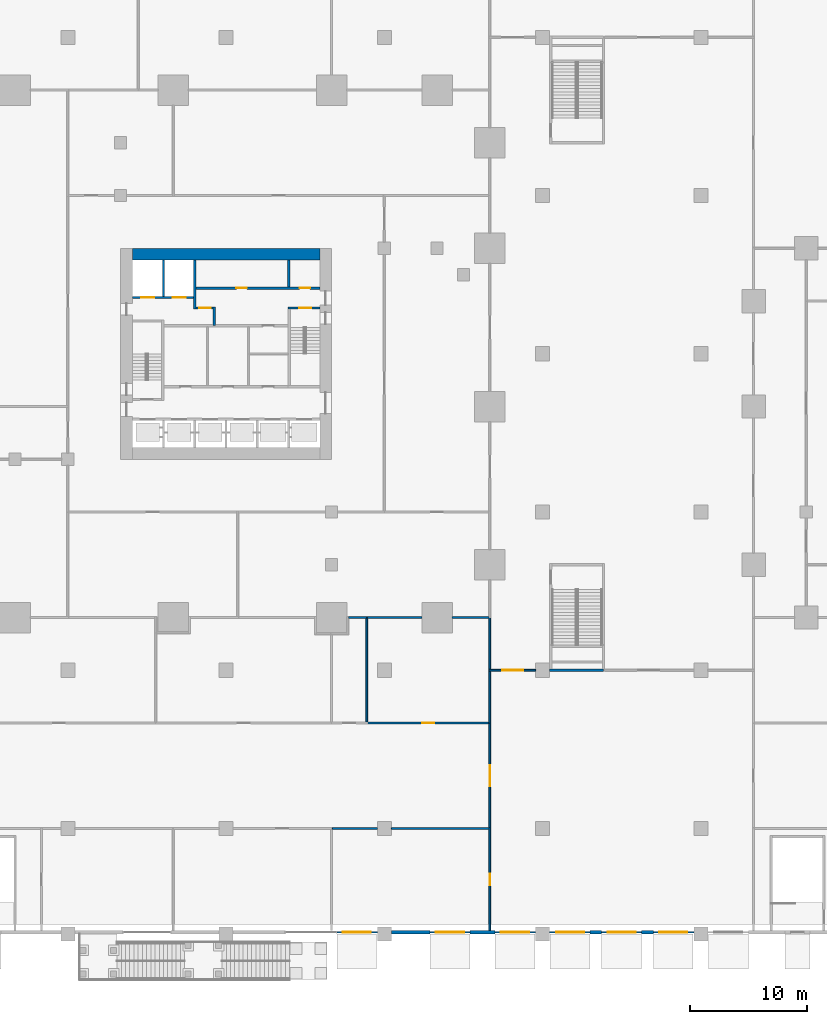
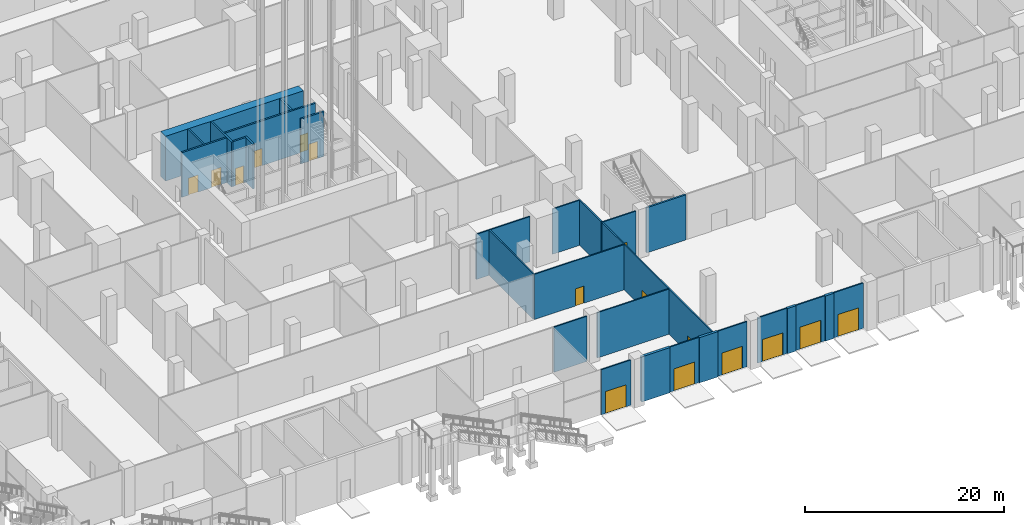
# One storey, part 26 of 68: 32 walls, 16 doors, 16 openings.
"""IFC4 building model written with IfcOpenShell, lengths in metres."""

from ifc_helpers import new_model, si_unit, direction, frame, frame_2d, origin, place, context, subcontext, project, spatial, rectangle, extrude, material, layer, layer_set, type_object, element, fill, save


model = new_model("IFC4")

# Units and contexts
model_context = context("Model", 3, precision=1e-05, world=origin(), true_north=direction((0.0, 1.0)))
body_context = subcontext(model_context, "Body", "Model", "MODEL_VIEW")
ifc_project = project(units=[si_unit("LENGTHUNIT", "METRE"), si_unit("AREAUNIT", "SQUARE_METRE"), si_unit("VOLUMEUNIT", "CUBIC_METRE"), si_unit("PLANEANGLEUNIT", "RADIAN"), si_unit("MASSUNIT", "GRAM", prefix="KILO")], contexts=[model_context])

# Site, building, storey
site_placement = place(None, origin())
site = spatial("IfcSite", under=ifc_project, at=site_placement, CompositionType="ELEMENT")
building_placement = place(site_placement, origin())
building = spatial("IfcBuilding", under=site, at=building_placement, Name="Altepetl Exchange Towers", CompositionType="ELEMENT")
storey_placement = place(building_placement, origin())
storey = spatial("IfcBuildingStorey", under=building, at=storey_placement, Name="L00 Ground concourse", CompositionType="ELEMENT", Elevation=0.0)

# Wall
ifc_material_1 = material(Name="Concrete C70/85", Category="concrete")
ifc_layer_1 = layer(ifc_material_1, 1.0)
ifc_layer_set_1 = layer_set([ifc_layer_1], Name="Concrete C70/85")
wall_type_1 = type_object("IfcWallType", Name="Core wall 1000 reinforced concrete", PredefinedType="SHEAR", material=ifc_layer_set_1)
wall_1_placement = place(storey_placement, frame((41.5, 58.0, 0.0)))
element("IfcWall", 1, at=wall_1_placement, inside=storey, type_object=wall_type_1, Name="wall:A:L00:K-coreN", PredefinedType="SHEAR", context=body_context, shape_type="SweptSolid", body=[
    extrude(rectangle(XDim=16.0, YDim=1.0, at=frame_2d((8.0, 0.0))), origin(), (0.0, 0.0, 1.0), 5.5),
])

# Wall, opening, door
ifc_material_2 = material(Name="Aluminium composite cladding", Category="aluminium")
ifc_layer_2 = layer(ifc_material_2, 0.14990234375)
ifc_layer_set_2 = layer_set([ifc_layer_2], Name="Aluminium composite cladding")
wall_type_2 = type_object("IfcWallType", Name="Infill wall 150 aluminium panel", PredefinedType="SOLIDWALL", material=ifc_layer_set_2)
wall_2_placement = place(storey_placement, frame((58.949951171875, 0.14990234375, 0.0)))
wall_2 = element("IfcWall", 2, at=wall_2_placement, inside=storey, type_object=wall_type_2, Name="Door bay wall", PredefinedType="SOLIDWALL", context=body_context, shape_type="SweptSolid", body=[
    extrude(rectangle(XDim=3.449951171875, YDim=0.14990234375, at=frame_2d((1.72509765625, 0.0))), origin(), (0.0, 0.0, 1.0), 5.550048828125),
])
opening_1_placement = place(wall_2_placement, frame((0.5, 0.0, 0.0)))
opening_1 = element("IfcOpeningElement", 3, at=opening_1_placement, cuts=wall_2, Name="Opening L00.E19", PredefinedType="OPENING", context=body_context, shape_type="SweptSolid", body=[
    extrude(rectangle(XDim=2.39990234375, YDim=2.699951171875, at=frame_2d((1.199951171875, 1.35009765625))), frame((0.0, 0.0849609375, 0.0), z_axis=(0.0, -1.0, 0.0), x_axis=(1.0, 0.0, 0.0)), (0.0, 0.0, 1.0), 0.169921875),
])
ifc_material_3 = material(Name="Aluminium 6063-T6 and glass", Category="aluminium")
door_type_1 = type_object("IfcDoorType", Name="Entrance door pair 2400x2700 pedestrian", OperationType="DOUBLE_DOOR_DOUBLE_SWING", PredefinedType="NOTDEFINED", material=ifc_material_3)
door_1_placement = place(opening_1_placement, frame((2.39990234375, 0.0, 0.0), x_axis=(-1.0, 0.0, 0.0)))
door_1 = element("IfcDoor", 4, at=door_1_placement, inside=storey, type_object=door_type_1, Name="Entrance door", OperationType="DOUBLE_DOOR_DOUBLE_SWING", OverallHeight=2.699951171875, OverallWidth=2.39990234375, PredefinedType="NOTDEFINED", context=body_context, shape_type="SweptSolid", body=[
    extrude(rectangle(XDim=2.39990234375, YDim=2.699951171875, at=frame_2d((1.199951171875, 1.35009765625))), frame((0.0, 0.02490234375, 0.0), z_axis=(0.0, -1.0, 0.0), x_axis=(1.0, 0.0, 0.0)), (0.0, 0.0, 1.0), 0.050048828125),
])
fill(opening_1, door_1)

wall_3_placement = place(storey_placement, frame((66.89990234375, 0.14990234375, 0.0)))
wall_3 = element("IfcWall", 5, at=wall_3_placement, inside=storey, type_object=wall_type_2, Name="Door bay wall", PredefinedType="SOLIDWALL", context=body_context, shape_type="SweptSolid", body=[
    extrude(rectangle(XDim=3.400146484375, YDim=0.14990234375, at=frame_2d((1.7001953125, 0.0))), origin(), (0.0, 0.0, 1.0), 5.550048828125),
])
opening_2_placement = place(wall_3_placement, frame((0.5, 0.0, 0.0)))
opening_2 = element("IfcOpeningElement", 6, at=opening_2_placement, cuts=wall_3, Name="Opening L00.E20", PredefinedType="OPENING", context=body_context, shape_type="SweptSolid", body=[
    extrude(rectangle(XDim=2.39990234375, YDim=2.699951171875, at=frame_2d((1.199951171875, 1.35009765625))), frame((0.0, 0.0849609375, 0.0), z_axis=(0.0, -1.0, 0.0), x_axis=(1.0, 0.0, 0.0)), (0.0, 0.0, 1.0), 0.169921875),
])
door_2_placement = place(opening_2_placement, frame((2.39990234375, 0.0, 0.0), x_axis=(-1.0, 0.0, 0.0)))
door_2 = element("IfcDoor", 7, at=door_2_placement, inside=storey, type_object=door_type_1, Name="Entrance door", OperationType="DOUBLE_DOOR_DOUBLE_SWING", OverallHeight=2.699951171875, OverallWidth=2.39990234375, PredefinedType="NOTDEFINED", context=body_context, shape_type="SweptSolid", body=[
    extrude(rectangle(XDim=2.39990234375, YDim=2.699951171875, at=frame_2d((1.199951171875, 1.35009765625))), frame((0.0, 0.02490234375, 0.0), z_axis=(0.0, -1.0, 0.0), x_axis=(1.0, 0.0, 0.0)), (0.0, 0.0, 1.0), 0.050048828125),
])
fill(opening_2, door_2)

wall_4_placement = place(storey_placement, frame((72.449951171875, 0.14990234375, 0.0)))
wall_4 = element("IfcWall", 8, at=wall_4_placement, inside=storey, type_object=wall_type_2, Name="Door bay wall", PredefinedType="SOLIDWALL", context=body_context, shape_type="SweptSolid", body=[
    extrude(rectangle(XDim=3.449951171875, YDim=0.14990234375, at=frame_2d((1.72509765625, 0.0))), origin(), (0.0, 0.0, 1.0), 5.550048828125),
])
opening_3_placement = place(wall_4_placement, frame((0.5, 0.0, 0.0)))
opening_3 = element("IfcOpeningElement", 9, at=opening_3_placement, cuts=wall_4, Name="Opening L00.E01", PredefinedType="OPENING", context=body_context, shape_type="SweptSolid", body=[
    extrude(rectangle(XDim=2.39990234375, YDim=2.699951171875, at=frame_2d((1.199951171875, 1.35009765625))), frame((0.0, 0.0849609375, 0.0), z_axis=(0.0, -1.0, 0.0), x_axis=(1.0, 0.0, 0.0)), (0.0, 0.0, 1.0), 0.169921875),
])
door_3_placement = place(opening_3_placement, frame((2.39990234375, 0.0, 0.0), x_axis=(-1.0, 0.0, 0.0)))
door_3 = element("IfcDoor", 10, at=door_3_placement, inside=storey, type_object=door_type_1, Name="Entrance door", OperationType="DOUBLE_DOOR_DOUBLE_SWING", OverallHeight=2.699951171875, OverallWidth=2.39990234375, PredefinedType="NOTDEFINED", context=body_context, shape_type="SweptSolid", body=[
    extrude(rectangle(XDim=2.39990234375, YDim=2.699951171875, at=frame_2d((1.199951171875, 1.35009765625))), frame((0.0, 0.02490234375, 0.0), z_axis=(0.0, -1.0, 0.0), x_axis=(1.0, 0.0, 0.0)), (0.0, 0.0, 1.0), 0.050048828125),
])
fill(opening_3, door_3)

wall_5_placement = place(storey_placement, frame((77.10009765625, 0.14990234375, 0.0)))
wall_5 = element("IfcWall", 11, at=wall_5_placement, inside=storey, type_object=wall_type_2, Name="Door bay wall", PredefinedType="SOLIDWALL", context=body_context, shape_type="SweptSolid", body=[
    extrude(rectangle(XDim=3.449951171875, YDim=0.14990234375, at=frame_2d((1.72509765625, 0.0))), origin(), (0.0, 0.0, 1.0), 5.550048828125),
])
opening_4_placement = place(wall_5_placement, frame((0.550048828125, 0.0, 0.0)))
opening_4 = element("IfcOpeningElement", 12, at=opening_4_placement, cuts=wall_5, Name="Opening L00.E02", PredefinedType="OPENING", context=body_context, shape_type="SweptSolid", body=[
    extrude(rectangle(XDim=2.39990234375, YDim=2.699951171875, at=frame_2d((1.199951171875, 1.35009765625))), frame((0.0, 0.0849609375, 0.0), z_axis=(0.0, -1.0, 0.0), x_axis=(1.0, 0.0, 0.0)), (0.0, 0.0, 1.0), 0.169921875),
])
door_4_placement = place(opening_4_placement, frame((2.39990234375, 0.0, 0.0), x_axis=(-1.0, 0.0, 0.0)))
door_4 = element("IfcDoor", 13, at=door_4_placement, inside=storey, type_object=door_type_1, Name="Entrance door", OperationType="DOUBLE_DOOR_DOUBLE_SWING", OverallHeight=2.699951171875, OverallWidth=2.39990234375, PredefinedType="NOTDEFINED", context=body_context, shape_type="SweptSolid", body=[
    extrude(rectangle(XDim=2.39990234375, YDim=2.699951171875, at=frame_2d((1.199951171875, 1.35009765625))), frame((0.0, 0.02490234375, 0.0), z_axis=(0.0, -1.0, 0.0), x_axis=(1.0, 0.0, 0.0)), (0.0, 0.0, 1.0), 0.050048828125),
])
fill(opening_4, door_4)

wall_6_placement = place(storey_placement, frame((81.550048828125, 0.14990234375, 0.0)))
wall_6 = element("IfcWall", 14, at=wall_6_placement, inside=storey, type_object=wall_type_2, Name="Door bay wall", PredefinedType="SOLIDWALL", context=body_context, shape_type="SweptSolid", body=[
    extrude(rectangle(XDim=3.39990234375, YDim=0.14990234375, at=frame_2d((1.699951171875, 0.0))), origin(), (0.0, 0.0, 1.0), 5.550048828125),
])
opening_5_placement = place(wall_6_placement, frame((0.5, 0.0, 0.0)))
opening_5 = element("IfcOpeningElement", 15, at=opening_5_placement, cuts=wall_6, Name="Opening L00.E03", PredefinedType="OPENING", context=body_context, shape_type="SweptSolid", body=[
    extrude(rectangle(XDim=2.39990234375, YDim=2.699951171875, at=frame_2d((1.199951171875, 1.35009765625))), frame((0.0, 0.0849609375, 0.0), z_axis=(0.0, -1.0, 0.0), x_axis=(1.0, 0.0, 0.0)), (0.0, 0.0, 1.0), 0.169921875),
])
door_5_placement = place(opening_5_placement, frame((2.39990234375, 0.0, 0.0), x_axis=(-1.0, 0.0, 0.0)))
door_5 = element("IfcDoor", 16, at=door_5_placement, inside=storey, type_object=door_type_1, Name="Entrance door", OperationType="DOUBLE_DOOR_DOUBLE_SWING", OverallHeight=2.699951171875, OverallWidth=2.39990234375, PredefinedType="NOTDEFINED", context=body_context, shape_type="SweptSolid", body=[
    extrude(rectangle(XDim=2.39990234375, YDim=2.699951171875, at=frame_2d((1.199951171875, 1.35009765625))), frame((0.0, 0.02490234375, 0.0), z_axis=(0.0, -1.0, 0.0), x_axis=(1.0, 0.0, 0.0)), (0.0, 0.0, 1.0), 0.050048828125),
])
fill(opening_5, door_5)

wall_7_placement = place(storey_placement, frame((85.949951171875, 0.14990234375, 0.0)))
wall_7 = element("IfcWall", 17, at=wall_7_placement, inside=storey, type_object=wall_type_2, Name="Door bay wall", PredefinedType="SOLIDWALL", context=body_context, shape_type="SweptSolid", body=[
    extrude(rectangle(XDim=3.449951171875, YDim=0.14990234375, at=frame_2d((1.72509765625, 0.0))), origin(), (0.0, 0.0, 1.0), 5.550048828125),
])
opening_6_placement = place(wall_7_placement, frame((0.5, 0.0, 0.0)))
opening_6 = element("IfcOpeningElement", 18, at=opening_6_placement, cuts=wall_7, Name="Opening L00.E04", PredefinedType="OPENING", context=body_context, shape_type="SweptSolid", body=[
    extrude(rectangle(XDim=2.39990234375, YDim=2.699951171875, at=frame_2d((1.199951171875, 1.35009765625))), frame((0.0, 0.0849609375, 0.0), z_axis=(0.0, -1.0, 0.0), x_axis=(1.0, 0.0, 0.0)), (0.0, 0.0, 1.0), 0.169921875),
])
door_6_placement = place(opening_6_placement, frame((2.39990234375, 0.0, 0.0), x_axis=(-1.0, 0.0, 0.0)))
door_6 = element("IfcDoor", 19, at=door_6_placement, inside=storey, type_object=door_type_1, Name="Entrance door", OperationType="DOUBLE_DOOR_DOUBLE_SWING", OverallHeight=2.699951171875, OverallWidth=2.39990234375, PredefinedType="NOTDEFINED", context=body_context, shape_type="SweptSolid", body=[
    extrude(rectangle(XDim=2.39990234375, YDim=2.699951171875, at=frame_2d((1.199951171875, 1.35009765625))), frame((0.0, 0.02490234375, 0.0), z_axis=(0.0, -1.0, 0.0), x_axis=(1.0, 0.0, 0.0)), (0.0, 0.0, 1.0), 0.050048828125),
])
fill(opening_6, door_6)

# Wall
ifc_material_4 = material(Name="Concrete blockwork", Category="masonry")
ifc_layer_3 = layer(ifc_material_4, 0.199951171875)
ifc_layer_set_3 = layer_set([ifc_layer_3], Name="Concrete blockwork")
wall_type_3 = type_object("IfcWallType", Name="Lobby wall 200 blockwork", PredefinedType="PARTITIONING", material=ifc_layer_set_3)
wall_8_placement = place(storey_placement, frame((48.5, 51.89990234375, 0.0), z_axis=(0.0, 0.0, 1.0), x_axis=(0.0, 1.0, 0.0)))
element("IfcWall", 20, at=wall_8_placement, inside=storey, type_object=wall_type_3, Name="wall:A:L00:K-ffE", PredefinedType="PARTITIONING", context=body_context, shape_type="SweptSolid", body=[
    extrude(rectangle(XDim=1.60009765625, YDim=0.199951171875, at=frame_2d((0.800048828125, 0.0))), origin(), (0.0, 0.0, 1.0), 5.5),
])

# Wall, opening, door
wall_9_placement = place(storey_placement, frame((46.933349609375, 53.39990234375, 0.0)))
wall_9 = element("IfcWall", 21, at=wall_9_placement, inside=storey, type_object=wall_type_3, Name="wall:A:L00:K-ffN", PredefinedType="PARTITIONING", context=body_context, shape_type="SweptSolid", body=[
    extrude(rectangle(XDim=1.466552734375, YDim=0.199951171875, at=frame_2d((0.7333984375, 0.0))), origin(), (0.0, 0.0, 1.0), 5.5),
])
opening_7_placement = place(wall_9_placement, frame((0.2666015625, 0.0, 0.0)))
opening_7 = element("IfcOpeningElement", 22, at=opening_7_placement, cuts=wall_9, Name="Opening L00.A67", PredefinedType="OPENING", context=body_context, shape_type="SweptSolid", body=[
    extrude(rectangle(XDim=1.0, YDim=2.10009765625, at=frame_2d((0.5, 1.050048828125))), frame((0.0, 0.10986328125, 0.0), z_axis=(0.0, -1.0, 0.0), x_axis=(1.0, 0.0, 0.0)), (0.0, 0.0, 1.0), 0.219970703125),
])
ifc_material_5 = material(Name="Steel and timber fire door", Category="steel")
door_type_2 = type_object("IfcDoorType", Name="Fire door 1000 x 2100 stair and lobby", OperationType="SINGLE_SWING_LEFT", PredefinedType="DOOR", material=ifc_material_5)
door_7_placement = place(opening_7_placement, frame((1.0, 0.0, 0.0), x_axis=(-1.0, 0.0, 0.0)))
door_7 = element("IfcDoor", 23, at=door_7_placement, inside=storey, type_object=door_type_2, Name="door:A:L00:K-dffN", OperationType="SINGLE_SWING_RIGHT", OverallHeight=2.10009765625, OverallWidth=1.0, PredefinedType="DOOR", context=body_context, shape_type="SweptSolid", body=[
    extrude(rectangle(XDim=1.0, YDim=2.10009765625, at=frame_2d((0.5, 1.050048828125))), frame((0.0, 0.02490234375, 0.0), z_axis=(0.0, -1.0, 0.0), x_axis=(1.0, 0.0, 0.0)), (0.0, 0.0, 1.0), 0.050048828125),
])
fill(opening_7, door_7)

ifc_material_6 = material(Name="Gypsum board on steel studs", Category="steel")
ifc_layer_4 = layer(ifc_material_6, 0.14990234375)
ifc_layer_set_4 = layer_set([ifc_layer_4], Name="Gypsum board on steel studs")
wall_type_4 = type_object("IfcWallType", Name="Podium partition 150", PredefinedType="PARTITIONING", material=ifc_layer_set_4)
wall_10_placement = place(storey_placement, frame((71.925048828125, 22.5, 0.0)))
wall_10 = element("IfcWall", 24, at=wall_10_placement, inside=storey, type_object=wall_type_4, Name="wall:P:L00:P001", PredefinedType="PARTITIONING", context=body_context, shape_type="SweptSolid", body=[
    extrude(rectangle(XDim=3.97998046875, YDim=0.14990234375, at=frame_2d((1.989990234375, 0.0))), origin(), (0.0, 0.0, 1.0), 5.550048828125),
])
opening_8_placement = place(wall_10_placement, frame((1.125, 0.0, 0.0)))
opening_8 = element("IfcOpeningElement", 25, at=opening_8_placement, cuts=wall_10, Name="Opening L00.P066", PredefinedType="OPENING", context=body_context, shape_type="SweptSolid", body=[
    extrude(rectangle(XDim=1.800048828125, YDim=2.10009765625, at=frame_2d((0.89990234375, 1.050048828125))), frame((0.0, 0.0849609375, 0.0), z_axis=(0.0, -1.0, 0.0), x_axis=(1.0, 0.0, 0.0)), (0.0, 0.0, 1.0), 0.169921875),
])
ifc_material_7 = material(Name="Glazed aluminium and steel", Category="steel")
door_type_3 = type_object("IfcDoorType", Name="Podium fire door 1800 x 2100 double leaf", OperationType="DOUBLE_DOOR_SINGLE_SWING", PredefinedType="DOOR", material=ifc_material_7)
door_8_placement = place(opening_8_placement, frame((1.800048828125, 0.0, 0.0), x_axis=(-1.0, 0.0, 0.0)))
door_8 = element("IfcDoor", 26, at=door_8_placement, inside=storey, type_object=door_type_3, Name="door:P:L00:066", OperationType="DOUBLE_DOOR_SINGLE_SWING", OverallHeight=2.10009765625, OverallWidth=1.800048828125, PredefinedType="DOOR", context=body_context, shape_type="SweptSolid", body=[
    extrude(rectangle(XDim=1.800048828125, YDim=2.10009765625, at=frame_2d((0.89990234375, 1.050048828125))), frame((0.0, 0.02490234375, 0.0), z_axis=(0.0, -1.0, 0.0), x_axis=(1.0, 0.0, 0.0)), (0.0, 0.0, 1.0), 0.050048828125),
])
fill(opening_8, door_8)

wall_11_placement = place(storey_placement, frame((72.0, 0.300048828125, 0.0), z_axis=(0.0, 0.0, 1.0), x_axis=(0.0, 1.0, 0.0)))
wall_11 = element("IfcWall", 27, at=wall_11_placement, inside=storey, type_object=wall_type_4, Name="wall:P:L00:P004", PredefinedType="PARTITIONING", context=body_context, shape_type="SweptSolid", body=[
    extrude(rectangle(XDim=8.77490234375, YDim=0.14990234375, at=frame_2d((4.387451171875, 0.0))), origin(), (0.0, 0.0, 1.0), 5.550048828125),
])
opening_9_placement = place(wall_11_placement, frame((3.85009765625, 0.0, 0.0)))
opening_9 = element("IfcOpeningElement", 28, at=opening_9_placement, cuts=wall_11, Name="Opening L00.P005", PredefinedType="OPENING", context=body_context, shape_type="SweptSolid", body=[
    extrude(rectangle(XDim=1.0, YDim=2.10009765625, at=frame_2d((0.5, 1.050048828125))), frame((0.0, 0.0849609375, 0.0), z_axis=(0.0, -1.0, 0.0), x_axis=(1.0, 0.0, 0.0)), (0.0, 0.0, 1.0), 0.169921875),
])
door_type_4 = type_object("IfcDoorType", Name="Podium fire door 1000 x 2100 single leaf", OperationType="SINGLE_SWING_LEFT", PredefinedType="DOOR", material=ifc_material_5)
door_9_placement = place(opening_9_placement, origin())
door_9 = element("IfcDoor", 29, at=door_9_placement, inside=storey, type_object=door_type_4, Name="door:P:L00:005", OperationType="SINGLE_SWING_RIGHT", OverallHeight=2.10009765625, OverallWidth=1.0, PredefinedType="DOOR", context=body_context, shape_type="SweptSolid", body=[
    extrude(rectangle(XDim=1.0, YDim=2.10009765625, at=frame_2d((0.5, 1.050048828125))), frame((0.0, 0.02490234375, 0.0), z_axis=(0.0, -1.0, 0.0), x_axis=(1.0, 0.0, 0.0)), (0.0, 0.0, 1.0), 0.050048828125),
])
fill(opening_9, door_9)

wall_12_placement = place(storey_placement, frame((72.0, 9.0, 0.0), z_axis=(0.0, 0.0, 1.0), x_axis=(0.0, 1.0, 0.0)))
wall_12 = element("IfcWall", 30, at=wall_12_placement, inside=storey, type_object=wall_type_4, Name="wall:P:L00:P005", PredefinedType="PARTITIONING", context=body_context, shape_type="SweptSolid", body=[
    extrude(rectangle(XDim=9.074951171875, YDim=0.14990234375, at=frame_2d((4.53759765625, 0.0))), origin(), (0.0, 0.0, 1.0), 5.550048828125),
])
opening_10_placement = place(wall_12_placement, frame((3.60009765625, 0.0, 0.0)))
opening_10 = element("IfcOpeningElement", 31, at=opening_10_placement, cuts=wall_12, Name="Opening L00.P067", PredefinedType="OPENING", context=body_context, shape_type="SweptSolid", body=[
    extrude(rectangle(XDim=1.800048828125, YDim=2.10009765625, at=frame_2d((0.89990234375, 1.050048828125))), frame((0.0, 0.0849609375, 0.0), z_axis=(0.0, -1.0, 0.0), x_axis=(1.0, 0.0, 0.0)), (0.0, 0.0, 1.0), 0.169921875),
])
door_10_placement = place(opening_10_placement, origin())
door_10 = element("IfcDoor", 32, at=door_10_placement, inside=storey, type_object=door_type_3, Name="door:P:L00:067", OperationType="DOUBLE_DOOR_SINGLE_SWING", OverallHeight=2.10009765625, OverallWidth=1.800048828125, PredefinedType="DOOR", context=body_context, shape_type="SweptSolid", body=[
    extrude(rectangle(XDim=1.800048828125, YDim=2.10009765625, at=frame_2d((0.89990234375, 1.050048828125))), frame((0.0, 0.02490234375, 0.0), z_axis=(0.0, -1.0, 0.0), x_axis=(1.0, 0.0, 0.0)), (0.0, 0.0, 1.0), 0.050048828125),
])
fill(opening_10, door_10)

# Walls
wall_13_placement = place(storey_placement, frame((72.0, 18.0, 0.0), z_axis=(0.0, 0.0, 1.0), x_axis=(0.0, 1.0, 0.0)))
element("IfcWall", 33, at=wall_13_placement, inside=storey, type_object=wall_type_4, Name="wall:P:L00:P006", PredefinedType="PARTITIONING", context=body_context, shape_type="SweptSolid", body=[
    extrude(rectangle(XDim=4.425048828125, YDim=0.14990234375, at=frame_2d((2.21240234375, 0.0))), origin(), (0.0, 0.0, 1.0), 5.550048828125),
])
wall_14_placement = place(storey_placement, frame((72.0, 22.5, 0.0), z_axis=(0.0, 0.0, 1.0), x_axis=(0.0, 1.0, 0.0)))
element("IfcWall", 34, at=wall_14_placement, inside=storey, type_object=wall_type_4, Name="wall:P:L00:P014", PredefinedType="PARTITIONING", context=body_context, shape_type="SweptSolid", body=[
    extrude(rectangle(XDim=4.574951171875, YDim=0.14990234375, at=frame_2d((2.28759765625, 0.0))), origin(), (0.0, 0.0, 1.0), 5.550048828125),
])
wall_15_placement = place(storey_placement, frame((58.574951171875, 9.0, 0.0)))
element("IfcWall", 35, at=wall_15_placement, inside=storey, type_object=wall_type_4, Name="wall:P:L00:P059", PredefinedType="PARTITIONING", context=body_context, shape_type="SweptSolid", body=[
    extrude(rectangle(XDim=3.830078125, YDim=0.14990234375, at=frame_2d((1.9150390625, 0.0))), origin(), (0.0, 0.0, 1.0), 5.550048828125),
])
wall_16_placement = place(storey_placement, frame((63.594970703125, 9.0, 0.0)))
element("IfcWall", 36, at=wall_16_placement, inside=storey, type_object=wall_type_4, Name="wall:P:L00:P060", PredefinedType="PARTITIONING", context=body_context, shape_type="SweptSolid", body=[
    extrude(rectangle(XDim=8.330078125, YDim=0.14990234375, at=frame_2d((4.1650390625, 0.0))), origin(), (0.0, 0.0, 1.0), 5.550048828125),
])

# Wall, opening, door
wall_17_placement = place(storey_placement, frame((61.5, 18.0, 0.0)))
wall_17 = element("IfcWall", 37, at=wall_17_placement, inside=storey, type_object=wall_type_4, Name="wall:P:L00:P066", PredefinedType="PARTITIONING", context=body_context, shape_type="SweptSolid", body=[
    extrude(rectangle(XDim=10.425048828125, YDim=0.14990234375, at=frame_2d((5.21240234375, 0.0))), origin(), (0.0, 0.0, 1.0), 5.550048828125),
])
opening_11_placement = place(wall_17_placement, frame((4.75, 0.0, 0.0)))
opening_11 = element("IfcOpeningElement", 38, at=opening_11_placement, cuts=wall_17, Name="Opening L00.P020", PredefinedType="OPENING", context=body_context, shape_type="SweptSolid", body=[
    extrude(rectangle(XDim=1.0, YDim=2.10009765625, at=frame_2d((0.5, 1.050048828125))), frame((0.0, 0.0849609375, 0.0), z_axis=(0.0, -1.0, 0.0), x_axis=(1.0, 0.0, 0.0)), (0.0, 0.0, 1.0), 0.169921875),
])
door_11_placement = place(opening_11_placement, origin())
door_11 = element("IfcDoor", 39, at=door_11_placement, inside=storey, type_object=door_type_4, Name="door:P:L00:020", OperationType="SINGLE_SWING_LEFT", OverallHeight=2.10009765625, OverallWidth=1.0, PredefinedType="DOOR", context=body_context, shape_type="SweptSolid", body=[
    extrude(rectangle(XDim=1.0, YDim=2.10009765625, at=frame_2d((0.5, 1.050048828125))), frame((0.0, 0.02490234375, 0.0), z_axis=(0.0, -1.0, 0.0), x_axis=(1.0, 0.0, 0.0)), (0.0, 0.0, 1.0), 0.050048828125),
])
fill(opening_11, door_11)

# Walls
wall_18_placement = place(storey_placement, frame((61.5, 18.074951171875, 0.0), z_axis=(0.0, 0.0, 1.0), x_axis=(0.0, 1.0, 0.0)))
element("IfcWall", 40, at=wall_18_placement, inside=storey, type_object=wall_type_4, Name="wall:P:L00:P148", PredefinedType="PARTITIONING", context=body_context, shape_type="SweptSolid", body=[
    extrude(rectangle(XDim=9.0, YDim=0.14990234375, at=frame_2d((4.5, 0.0))), origin(), (0.0, 0.0, 1.0), 5.550048828125),
])
wall_19_placement = place(storey_placement, frame((59.949951171875, 27.0, 0.0)))
element("IfcWall", 41, at=wall_19_placement, inside=storey, type_object=wall_type_4, Name="wall:P:L00:P151", PredefinedType="PARTITIONING", context=body_context, shape_type="SweptSolid", body=[
    extrude(rectangle(XDim=1.550048828125, YDim=0.14990234375, at=frame_2d((0.77490234375, 0.0))), origin(), (0.0, 0.0, 1.0), 5.550048828125),
])
wall_20_placement = place(storey_placement, frame((61.574951171875, 27.0, 0.0)))
element("IfcWall", 42, at=wall_20_placement, inside=storey, type_object=wall_type_4, Name="wall:P:L00:P152", PredefinedType="PARTITIONING", context=body_context, shape_type="SweptSolid", body=[
    extrude(rectangle(XDim=4.630126953125, YDim=0.14990234375, at=frame_2d((2.31494140625, 0.0))), origin(), (0.0, 0.0, 1.0), 5.550048828125),
])
wall_21_placement = place(storey_placement, frame((68.794921875, 27.0, 0.0)))
element("IfcWall", 43, at=wall_21_placement, inside=storey, type_object=wall_type_4, Name="wall:P:L00:P153", PredefinedType="PARTITIONING", context=body_context, shape_type="SweptSolid", body=[
    extrude(rectangle(XDim=3.130126953125, YDim=0.14990234375, at=frame_2d((1.56494140625, 0.0))), origin(), (0.0, 0.0, 1.0), 5.550048828125),
])
ifc_material_8 = material(Name="Concrete C40/50", Category="concrete")
ifc_layer_5 = layer(ifc_material_8, 0.199951171875)
ifc_layer_set_5 = layer_set([ifc_layer_5], Name="Concrete C40/50")
wall_type_5 = type_object("IfcWallType", Name="Shaft wall 200 reinforced concrete", PredefinedType="SHEAR", material=ifc_layer_set_5)
wall_22_placement = place(storey_placement, frame((44.166748046875, 57.5, 0.0), z_axis=(0.0, 0.0, 1.0), x_axis=(0.0, -1.0, 0.0)))
element("IfcWall", 44, at=wall_22_placement, inside=storey, type_object=wall_type_5, Name="wall:A:L00:K-divN1", PredefinedType="SHEAR", context=body_context, shape_type="SweptSolid", body=[
    extrude(rectangle(XDim=3.10009765625, YDim=0.199951171875, at=frame_2d((1.550048828125, 0.0))), origin(), (0.0, 0.0, 1.0), 5.5),
])
wall_23_placement = place(storey_placement, frame((46.833251953125, 57.5, 0.0), z_axis=(0.0, 0.0, 1.0), x_axis=(0.0, -1.0, 0.0)))
element("IfcWall", 45, at=wall_23_placement, inside=storey, type_object=wall_type_5, Name="wall:A:L00:K-divN2", PredefinedType="SHEAR", context=body_context, shape_type="SweptSolid", body=[
    extrude(rectangle(XDim=4.199951171875, YDim=0.199951171875, at=frame_2d((2.10009765625, 0.0))), origin(), (0.0, 0.0, 1.0), 5.5),
])
wall_24_placement = place(storey_placement, frame((54.833251953125, 57.5, 0.0), z_axis=(0.0, 0.0, 1.0), x_axis=(0.0, -1.0, 0.0)))
element("IfcWall", 46, at=wall_24_placement, inside=storey, type_object=wall_type_5, Name="wall:A:L00:K-divN5", PredefinedType="SHEAR", context=body_context, shape_type="SweptSolid", body=[
    extrude(rectangle(XDim=2.300048828125, YDim=0.199951171875, at=frame_2d((1.14990234375, 0.0))), origin(), (0.0, 0.0, 1.0), 5.5),
])

# Wall, openings, doors
wall_25_placement = place(storey_placement, frame((46.933349609375, 55.10009765625, 0.0)))
wall_25 = element("IfcWall", 47, at=wall_25_placement, inside=storey, type_object=wall_type_5, Name="wall:A:L00:K-frontNb", PredefinedType="SHEAR", context=body_context, shape_type="SweptSolid", body=[
    extrude(rectangle(XDim=10.566650390625, YDim=0.199951171875, at=frame_2d((5.283203125, 0.0))), origin(), (0.0, 0.0, 1.0), 5.5),
])
opening_12_placement = place(wall_25_placement, frame((8.83349609375, 0.0, 0.0)))
opening_12 = element("IfcOpeningElement", 48, at=opening_12_placement, cuts=wall_25, Name="Opening L00.A69", PredefinedType="OPENING", context=body_context, shape_type="SweptSolid", body=[
    extrude(rectangle(XDim=0.89990234375, YDim=2.10009765625, at=frame_2d((0.449951171875, 1.050048828125))), frame((0.0, 0.10986328125, 0.0), z_axis=(0.0, -1.0, 0.0), x_axis=(1.0, 0.0, 0.0)), (0.0, 0.0, 1.0), 0.219970703125),
])
opening_13_placement = place(wall_25_placement, frame((3.449951171875, 0.0, 0.0)))
opening_13 = element("IfcOpeningElement", 49, at=opening_13_placement, cuts=wall_25, Name="Opening L00.A70", PredefinedType="OPENING", context=body_context, shape_type="SweptSolid", body=[
    extrude(rectangle(XDim=0.89990234375, YDim=2.10009765625, at=frame_2d((0.449951171875, 1.050048828125))), frame((0.0, 0.10986328125, 0.0), z_axis=(0.0, -1.0, 0.0), x_axis=(1.0, 0.0, 0.0)), (0.0, 0.0, 1.0), 0.219970703125),
])
door_type_5 = type_object("IfcDoorType", Name="Fire door 900 x 2100 service room", OperationType="SINGLE_SWING_LEFT", PredefinedType="DOOR", material=ifc_material_5)
door_12_placement = place(opening_12_placement, origin())
door_12 = element("IfcDoor", 50, at=door_12_placement, inside=storey, type_object=door_type_5, Name="door:A:L00:K-driser", OperationType="SINGLE_SWING_RIGHT", OverallHeight=2.10009765625, OverallWidth=0.89990234375, PredefinedType="DOOR", context=body_context, shape_type="SweptSolid", body=[
    extrude(rectangle(XDim=0.89990234375, YDim=2.10009765625, at=frame_2d((0.449951171875, 1.050048828125))), frame((0.0, 0.02490234375, 0.0), z_axis=(0.0, -1.0, 0.0), x_axis=(1.0, 0.0, 0.0)), (0.0, 0.0, 1.0), 0.050048828125),
])
fill(opening_12, door_12)
door_13_placement = place(opening_13_placement, origin())
door_13 = element("IfcDoor", 51, at=door_13_placement, inside=storey, type_object=door_type_5, Name="door:A:L00:K-dslotN2", OperationType="SINGLE_SWING_RIGHT", OverallHeight=2.10009765625, OverallWidth=0.89990234375, PredefinedType="DOOR", context=body_context, shape_type="SweptSolid", body=[
    extrude(rectangle(XDim=0.89990234375, YDim=2.10009765625, at=frame_2d((0.449951171875, 1.050048828125))), frame((0.0, 0.02490234375, 0.0), z_axis=(0.0, -1.0, 0.0), x_axis=(1.0, 0.0, 0.0)), (0.0, 0.0, 1.0), 0.050048828125),
])
fill(opening_13, door_13)

wall_26_placement = place(storey_placement, frame((41.5, 54.300048828125, 0.0)))
wall_26 = element("IfcWall", 52, at=wall_26_placement, inside=storey, type_object=wall_type_5, Name="wall:A:L00:K-frontNd", PredefinedType="SHEAR", context=body_context, shape_type="SweptSolid", body=[
    extrude(rectangle(XDim=5.2333984375, YDim=0.199951171875, at=frame_2d((2.61669921875, 0.0))), origin(), (0.0, 0.0, 1.0), 5.5),
])
opening_14_placement = place(wall_26_placement, frame((0.783203125, 0.0, 0.0)))
opening_14 = element("IfcOpeningElement", 53, at=opening_14_placement, cuts=wall_26, Name="Opening L00.A75", PredefinedType="OPENING", context=body_context, shape_type="SweptSolid", body=[
    extrude(rectangle(XDim=1.10009765625, YDim=2.10009765625, at=frame_2d((0.550048828125, 1.050048828125))), frame((0.0, 0.10986328125, 0.0), z_axis=(0.0, -1.0, 0.0), x_axis=(1.0, 0.0, 0.0)), (0.0, 0.0, 1.0), 0.219970703125),
])
opening_15_placement = place(wall_26_placement, frame((3.449951171875, 0.0, 0.0)))
opening_15 = element("IfcOpeningElement", 54, at=opening_15_placement, cuts=wall_26, Name="Opening L00.A76", PredefinedType="OPENING", context=body_context, shape_type="SweptSolid", body=[
    extrude(rectangle(XDim=1.10009765625, YDim=2.10009765625, at=frame_2d((0.550048828125, 1.050048828125))), frame((0.0, 0.10986328125, 0.0), z_axis=(0.0, -1.0, 0.0), x_axis=(1.0, 0.0, 0.0)), (0.0, 0.0, 1.0), 0.219970703125),
])
ifc_material_9 = material(Name="Stainless steel", Category="steel")
door_type_6 = type_object("IfcDoorType", Name="Lift landing door 1100 x 2100", OperationType="SLIDING_TO_LEFT", PredefinedType="DOOR", material=ifc_material_9)
door_14_placement = place(opening_14_placement, origin())
door_14 = element("IfcDoor", 55, at=door_14_placement, inside=storey, type_object=door_type_6, Name="Landing door FFL1", OperationType="SLIDING_TO_LEFT", OverallHeight=2.10009765625, OverallWidth=1.10009765625, PredefinedType="DOOR", context=body_context, shape_type="SweptSolid", body=[
    extrude(rectangle(XDim=1.10009765625, YDim=2.10009765625, at=frame_2d((0.550048828125, 1.050048828125))), frame((0.0, 0.02490234375, 0.0), z_axis=(0.0, -1.0, 0.0), x_axis=(1.0, 0.0, 0.0)), (0.0, 0.0, 1.0), 0.050048828125),
])
fill(opening_14, door_14)
door_15_placement = place(opening_15_placement, origin())
door_15 = element("IfcDoor", 56, at=door_15_placement, inside=storey, type_object=door_type_6, Name="Landing door FFL2", OperationType="SLIDING_TO_LEFT", OverallHeight=2.10009765625, OverallWidth=1.10009765625, PredefinedType="DOOR", context=body_context, shape_type="SweptSolid", body=[
    extrude(rectangle(XDim=1.10009765625, YDim=2.10009765625, at=frame_2d((0.550048828125, 1.050048828125))), frame((0.0, 0.02490234375, 0.0), z_axis=(0.0, -1.0, 0.0), x_axis=(1.0, 0.0, 0.0)), (0.0, 0.0, 1.0), 0.050048828125),
])
fill(opening_15, door_15)

# Wall
ifc_material_10 = material(Name="Reinforced concrete C35/45", Category="concrete")
ifc_layer_6 = layer(ifc_material_10, 0.199951171875)
ifc_layer_set_6 = layer_set([ifc_layer_6], Name="Reinforced concrete C35/45")
wall_type_6 = type_object("IfcWallType", Name="Stair enclosure wall 200", PredefinedType="SOLIDWALL", material=ifc_layer_set_6)
wall_27_placement = place(storey_placement, frame((77.10009765625, 22.5, 0.0)))
element("IfcWall", 57, at=wall_27_placement, inside=storey, type_object=wall_type_6, Name="wall:P:L00:P010", PredefinedType="SOLIDWALL", context=body_context, shape_type="SweptSolid", body=[
    extrude(rectangle(XDim=4.599853515625, YDim=0.199951171875, at=frame_2d((2.2998046875, 0.0))), origin(), (0.0, 0.0, 1.0), 5.550048828125),
])

# Wall, opening, door
ifc_layer_7 = layer(ifc_material_8, 0.199951171875)
ifc_layer_set_7 = layer_set([ifc_layer_7], Name="Concrete C40/50")
wall_type_7 = type_object("IfcWallType", Name="Stair wall 200 reinforced concrete", PredefinedType="SHEAR", material=ifc_layer_set_7)
wall_28_placement = place(storey_placement, frame((54.800048828125, 53.39990234375, 0.0)))
wall_28 = element("IfcWall", 58, at=wall_28_placement, inside=storey, type_object=wall_type_7, Name="wall:A:L00:K-stS2N", PredefinedType="SHEAR", context=body_context, shape_type="SweptSolid", body=[
    extrude(rectangle(XDim=2.699951171875, YDim=0.199951171875, at=frame_2d((1.35009765625, 0.0))), origin(), (0.0, 0.0, 1.0), 5.5),
])
opening_16_placement = place(wall_28_placement, frame((0.949951171875, 0.0, 0.0)))
opening_16 = element("IfcOpeningElement", 59, at=opening_16_placement, cuts=wall_28, Name="Opening L00.A65", PredefinedType="OPENING", context=body_context, shape_type="SweptSolid", body=[
    extrude(rectangle(XDim=1.0, YDim=2.10009765625, at=frame_2d((0.5, 1.050048828125))), frame((0.0, 0.10986328125, 0.0), z_axis=(0.0, -1.0, 0.0), x_axis=(1.0, 0.0, 0.0)), (0.0, 0.0, 1.0), 0.219970703125),
])
door_16_placement = place(opening_16_placement, frame((1.0, 0.0, 0.0), x_axis=(-1.0, 0.0, 0.0)))
door_16 = element("IfcDoor", 60, at=door_16_placement, inside=storey, type_object=door_type_2, Name="door:A:L00:K-dS2in", OperationType="SINGLE_SWING_LEFT", OverallHeight=2.10009765625, OverallWidth=1.0, PredefinedType="DOOR", context=body_context, shape_type="SweptSolid", body=[
    extrude(rectangle(XDim=1.0, YDim=2.10009765625, at=frame_2d((0.5, 1.050048828125))), frame((0.0, 0.02490234375, 0.0), z_axis=(0.0, -1.0, 0.0), x_axis=(1.0, 0.0, 0.0)), (0.0, 0.0, 1.0), 0.050048828125),
])
fill(opening_16, door_16)

# Walls
ifc_material_11 = material(Name="Cantera limestone cladding", Category="masonry")
ifc_layer_8 = layer(ifc_material_11, 0.300048828125)
ifc_layer_set_8 = layer_set([ifc_layer_8], Name="Cantera limestone cladding")
wall_type_8 = type_object("IfcWallType", Name="Stone wall panel 300", PredefinedType="ELEMENTEDWALL", material=ifc_layer_set_8)
wall_29_placement = place(storey_placement, frame((63.60009765625, 0.14990234375, 0.0)))
element("IfcWall", 61, at=wall_29_placement, inside=storey, type_object=wall_type_8, Name="Stone wall panel", PredefinedType="ELEMENTEDWALL", context=body_context, shape_type="SweptSolid", body=[
    extrude(rectangle(XDim=3.2998046875, YDim=0.300048828125, at=frame_2d((1.64990234375, 0.0))), origin(), (0.0, 0.0, 1.0), 5.550048828125),
])
wall_30_placement = place(storey_placement, frame((70.300048828125, 0.14990234375, 0.0)))
element("IfcWall", 62, at=wall_30_placement, inside=storey, type_object=wall_type_8, Name="Stone wall panel", PredefinedType="ELEMENTEDWALL", context=body_context, shape_type="SweptSolid", body=[
    extrude(rectangle(XDim=2.14990234375, YDim=0.300048828125, at=frame_2d((1.074951171875, 0.0))), origin(), (0.0, 0.0, 1.0), 5.550048828125),
])
for number, where, name in (
    (63, (80.550048828125, 0.14990234375, 0.0), "Stone wall panel"),
    (64, (84.949951171875, 0.14990234375, 0.0), "Stone wall panel"),
):
    element("IfcWall", number, at=place(storey_placement, frame(where)), inside=storey, type_object=wall_type_8, Name=name, PredefinedType="ELEMENTEDWALL", context=body_context, shape_type="SweptSolid", body=[
        extrude(rectangle(XDim=1.0, YDim=0.300048828125, at=frame_2d((0.5, 0.0))), origin(), (0.0, 0.0, 1.0), 5.550048828125),
    ])

save(model, "model.ifc")
